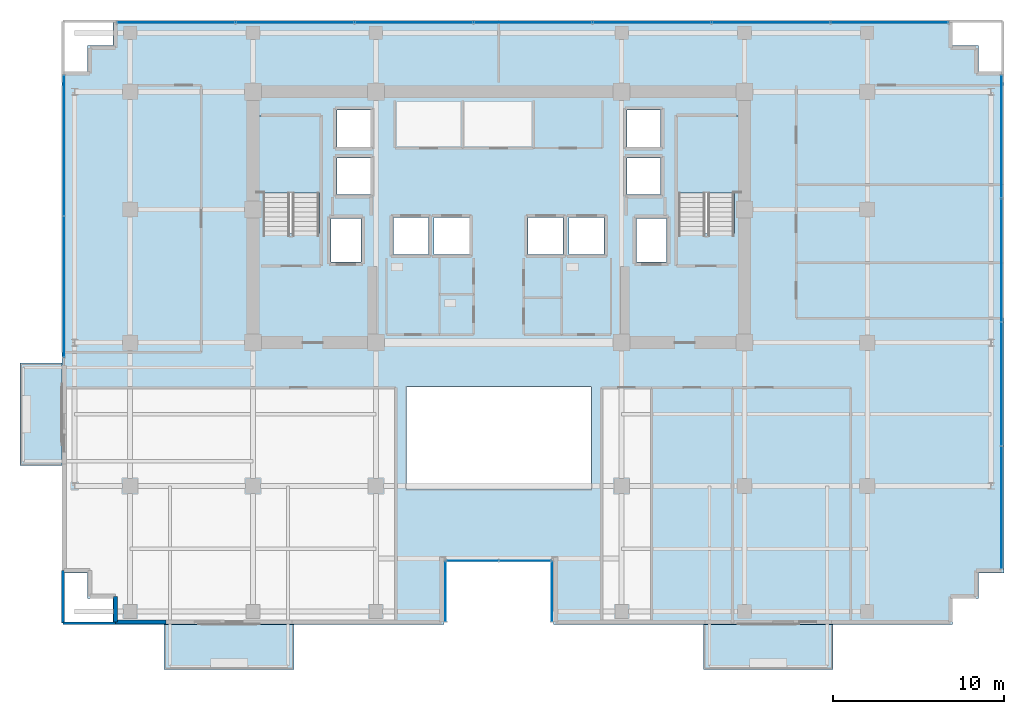
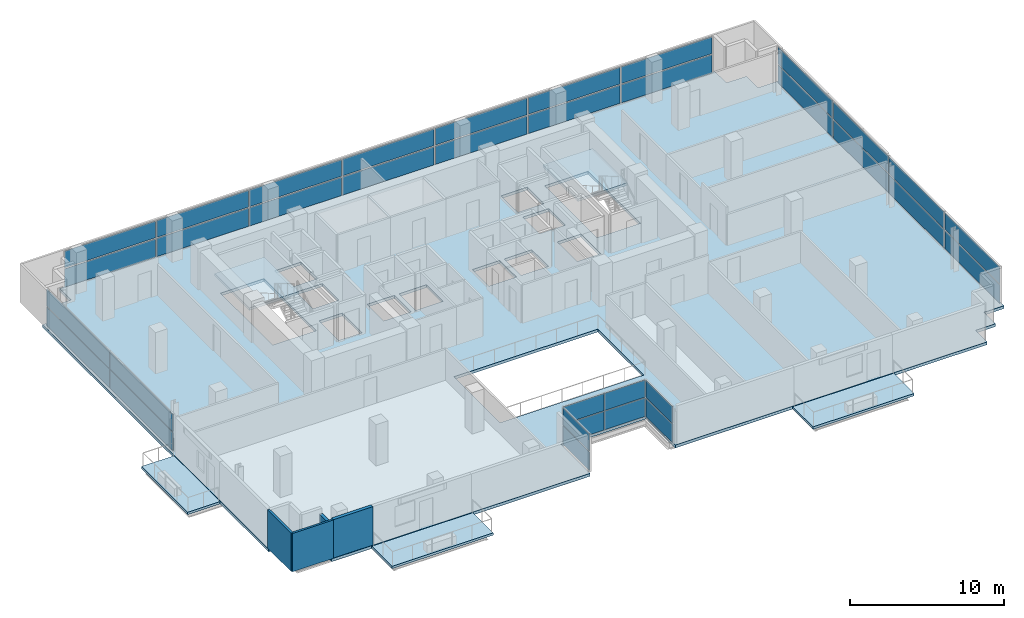
# One storey, part 14 of 22: 34 plates, 6 slabs, 4 walls, 8 elements without a shape of their own.
"""IFC4 building model written with IfcOpenShell, lengths in metres."""

from ifc_helpers import new_model, si_unit, direction, frame, frame_2d, origin, origin_2d, place, context, subcontext, project, spatial, polyline, rectangle, outline, extrude, source, transform, mapped, material, layer, layer_set, type_object, element, aggregate, save


model = new_model("IFC4")

# Units and contexts
model_context = context("Model", 3, precision=1e-05, world=origin(), true_north=direction((0.0, 1.0)))
body_context = subcontext(model_context, "Body", "Model", "MODEL_VIEW")
ifc_project = project(units=[si_unit("LENGTHUNIT", "METRE"), si_unit("AREAUNIT", "SQUARE_METRE"), si_unit("VOLUMEUNIT", "CUBIC_METRE"), si_unit("PLANEANGLEUNIT", "RADIAN"), si_unit("MASSUNIT", "GRAM", prefix="KILO")], contexts=[model_context])

# Site, building, storey
site_placement = place(None, origin())
site = spatial("IfcSite", under=ifc_project, at=site_placement, CompositionType="ELEMENT")
building_placement = place(site_placement, origin())
building = spatial("IfcBuilding", under=site, at=building_placement, Name="Zarnakvel Exchange Tower", CompositionType="ELEMENT")
storey_placement = place(building_placement, frame((0.0, 0.0, 136.300048828125)))
storey = spatial("IfcBuildingStorey", under=building, at=storey_placement, Name="L38", CompositionType="ELEMENT", Elevation=136.300048828125)

# Stair, slab
ifc_material_1 = material(Name="Concrete C40/50", Category="concrete")
stair_type = type_object("IfcStairType", Name="STR-01", PredefinedType="HALF_TURN_STAIR", material=ifc_material_1)
stair_1_placement = place(storey_placement, origin())
stair_1 = element("IfcStair", 1, at=stair_1_placement, inside=storey, type_object=stair_type, Name="L38 Protected Core Exit Stair ST-01", PredefinedType="HALF_TURN_STAIR")
ifc_layer_1 = layer(ifc_material_1, 0.199951171875)
ifc_layer_set_1 = layer_set([ifc_layer_1], Name="Concrete C40/50")
slab_type_1 = type_object("IfcSlabType", Name="LDG-01", PredefinedType="LANDING", material=ifc_layer_set_1)
slab_1_placement = place(storey_placement, frame((0.0, 0.0, 1.449951171875)))
slab_1 = element("IfcSlab", 2, at=slab_1_placement, type_object=slab_type_1, Name="ST-01 landing 1", PredefinedType="LANDING", context=body_context, shape_type="SweptSolid", body=[
    extrude(outline(polyline([(-14.18994140625, 7.570068359375), (-10.4599609375, 7.570068359375), (-10.4599609375, 12.080078125), (-14.18994140625, 12.080078125), (-14.18994140625, 7.570068359375)])), origin(), (0.0, 0.0, 1.0), 0.199951171875),
])
aggregate(stair_1, [slab_1])

stair_2_placement = place(storey_placement, origin())
stair_2 = element("IfcStair", 3, at=stair_2_placement, inside=storey, type_object=stair_type, Name="L38 Protected Core Exit Stair ST-02", PredefinedType="HALF_TURN_STAIR")
slab_2_placement = place(storey_placement, frame((0.0, 0.0, 1.449951171875)))
slab_2 = element("IfcSlab", 4, at=slab_2_placement, type_object=slab_type_1, Name="ST-02 landing 1", PredefinedType="LANDING", context=body_context, shape_type="SweptSolid", body=[
    extrude(outline(polyline([(10.4599609375, 7.570068359375), (14.18994140625, 7.570068359375), (14.18994140625, 12.080078125), (10.4599609375, 12.080078125), (10.4599609375, 7.570068359375)])), origin(), (0.0, 0.0, 1.0), 0.199951171875),
])
aggregate(stair_2, [slab_2])

# Slabs
ifc_layer_2 = layer(ifc_material_1, 0.22509765625)
ifc_layer_set_2 = layer_set([ifc_layer_2], Name="Concrete C40/50")
slab_type_2 = type_object("IfcSlabType", Name="SL-04", PredefinedType="FLOOR", material=ifc_layer_set_2)
slab_3_placement = place(storey_placement, frame((0.0, 0.0, -0.22509765625)))
element("IfcSlab", 5, at=slab_3_placement, inside=storey, type_object=slab_type_2, Name="L38 Primary Structural Floor Slab", PredefinedType="FLOOR", context=body_context, shape_type="SweptSolid", body=[
    extrude(outline(polyline([(-25.60009765625, -14.699951171875), (-24.10009765625, -14.699951171875), (-24.10009765625, -16.199951171875), (-22.60009765625, -16.199951171875), (-22.60009765625, -17.699951171875), (-3.199951171875, -17.699951171875), (-3.199951171875, -13.89990234375), (3.199951171875, -13.89990234375), (3.199951171875, -17.699951171875), (26.60009765625, -17.699951171875), (26.60009765625, -16.199951171875), (28.10009765625, -16.199951171875), (28.10009765625, -14.699951171875), (29.60009765625, -14.699951171875), (29.60009765625, 14.699951171875), (28.10009765625, 14.699951171875), (28.10009765625, 16.199951171875), (26.60009765625, 16.199951171875), (26.60009765625, 17.699951171875), (-22.60009765625, 17.699951171875), (-22.60009765625, 16.199951171875), (-24.10009765625, 16.199951171875), (-24.10009765625, 14.699951171875), (-25.60009765625, 14.699951171875), (-25.60009765625, -14.699951171875)]), holes=[polyline([(-5.39990234375, -9.800048828125), (5.39990234375, -9.800048828125), (5.39990234375, -3.800048828125), (-5.39990234375, -3.800048828125), (-5.39990234375, -9.800048828125)]), polyline([(-13.800048828125, 5.2099609375), (-10.5400390625, 5.2099609375), (-10.5400390625, 12.0), (-13.800048828125, 12.0), (-13.800048828125, 5.2099609375)]), polyline([(10.5400390625, 5.2099609375), (13.800048828125, 5.2099609375), (13.800048828125, 12.0), (10.5400390625, 12.0), (10.5400390625, 5.2099609375)]), polyline([(-9.830078125, 3.52001953125), (-8.070068359375, 3.52001953125), (-8.070068359375, 6.080078125), (-9.830078125, 6.080078125), (-9.830078125, 3.52001953125)]), polyline([(8.070068359375, 3.52001953125), (9.830078125, 3.52001953125), (9.830078125, 6.080078125), (8.070068359375, 6.080078125), (8.070068359375, 3.52001953125)]), polyline([(-6.179931640625, 3.969970703125), (-4.1201171875, 3.969970703125), (-4.1201171875, 6.1298828125), (-6.179931640625, 6.1298828125), (-6.179931640625, 3.969970703125)]), polyline([(-3.780029296875, 3.969970703125), (-1.719970703125, 3.969970703125), (-1.719970703125, 6.1298828125), (-3.780029296875, 6.1298828125), (-3.780029296875, 3.969970703125)]), polyline([(1.719970703125, 3.969970703125), (3.780029296875, 3.969970703125), (3.780029296875, 6.1298828125), (1.719970703125, 6.1298828125), (1.719970703125, 3.969970703125)]), polyline([(4.1201171875, 3.969970703125), (6.179931640625, 3.969970703125), (6.179931640625, 6.1298828125), (4.1201171875, 6.1298828125), (4.1201171875, 3.969970703125)]), polyline([(-9.47998046875, 7.469970703125), (-7.52001953125, 7.469970703125), (-7.52001953125, 9.6298828125), (-9.47998046875, 9.6298828125), (-9.47998046875, 7.469970703125)]), polyline([(-9.47998046875, 10.27001953125), (-7.52001953125, 10.27001953125), (-7.52001953125, 12.429931640625), (-9.47998046875, 12.429931640625), (-9.47998046875, 10.27001953125)]), polyline([(7.52001953125, 7.469970703125), (9.47998046875, 7.469970703125), (9.47998046875, 9.6298828125), (7.52001953125, 9.6298828125), (7.52001953125, 7.469970703125)]), polyline([(7.52001953125, 10.27001953125), (9.47998046875, 10.27001953125), (9.47998046875, 12.429931640625), (7.52001953125, 12.429931640625), (7.52001953125, 10.27001953125)])]), origin(), (0.0, 0.0, 1.0), 0.22509765625),
])
ifc_layer_3 = layer(ifc_material_1, 0.18994140625)
ifc_layer_set_3 = layer_set([ifc_layer_3], Name="Concrete C40/50")
slab_type_3 = type_object("IfcSlabType", Name="SL-08", PredefinedType="USERDEFINED", material=ifc_layer_set_3)
slab_4_placement = place(storey_placement, frame((0.0, 0.0, -0.22509765625)))
element("IfcSlab", 6, at=slab_4_placement, inside=storey, type_object=slab_type_3, Name="L38 Planted Loggia Balcony Slab BAL-L38-SW", ObjectType="BALCONY", PredefinedType="USERDEFINED", context=body_context, shape_type="SweptSolid", body=[
    extrude(outline(polyline([(-19.60009765625, -20.35009765625), (-12.0, -20.35009765625), (-12.0, -17.699951171875), (-19.60009765625, -17.699951171875), (-19.60009765625, -20.35009765625)])), origin(), (0.0, 0.0, 1.0), 0.18994140625),
])
slab_5_placement = place(storey_placement, frame((0.0, 0.0, -0.22509765625)))
element("IfcSlab", 7, at=slab_5_placement, inside=storey, type_object=slab_type_3, Name="L38 Planted Loggia Balcony Slab BAL-L38-SE", ObjectType="BALCONY", PredefinedType="USERDEFINED", context=body_context, shape_type="SweptSolid", body=[
    extrude(outline(polyline([(12.0, -20.35009765625), (19.60009765625, -20.35009765625), (19.60009765625, -17.699951171875), (12.0, -17.699951171875), (12.0, -20.35009765625)])), origin(), (0.0, 0.0, 1.0), 0.18994140625),
])
slab_6_placement = place(storey_placement, frame((0.0, 0.0, -0.22509765625)))
element("IfcSlab", 8, at=slab_6_placement, inside=storey, type_object=slab_type_3, Name="L38 Planted Loggia Balcony Slab BAL-L38-W", ObjectType="BALCONY", PredefinedType="USERDEFINED", context=body_context, shape_type="SweptSolid", body=[
    extrude(outline(polyline([(-28.050048828125, -8.39990234375), (-25.60009765625, -8.39990234375), (-25.60009765625, -2.39990234375), (-28.050048828125, -2.39990234375), (-28.050048828125, -8.39990234375)])), origin(), (0.0, 0.0, 1.0), 0.18994140625),
])

# Curtain wall, plate
ifc_material_2 = material(Name="Architectural Bronze Anodised Aluminium", Category="aluminium")
ifc_layer_4 = layer(ifc_material_2, 0.179931640625)
ifc_layer_set_4 = layer_set([ifc_layer_4], Name="Architectural Bronze Anodised Aluminium")
curtain_wall_type_1 = type_object("IfcCurtainWallType", Name="CW-05", PredefinedType="NOTDEFINED", material=ifc_layer_set_4)
curtain_wall_1_placement = place(storey_placement, origin())
curtain_wall_1 = element("IfcCurtainWall", 9, at=curtain_wall_1_placement, inside=storey, type_object=curtain_wall_type_1, Name="L38 Curtain Wall CW-L38-SLW (CW-05)", PredefinedType="NOTDEFINED")
ifc_material_3 = material(Name="Double Low-E Laminated Vision Glass", Category="glass")
ifc_layer_5 = layer(ifc_material_3, 0.02587890625)
ifc_layer_set_5 = layer_set([ifc_layer_5], Name="Double Low-E Laminated Vision Glass")
plate_type_1 = type_object("IfcPlateType", Name="CWP-05", PredefinedType="CURTAIN_PANEL", material=ifc_layer_set_5)
shared_shape_1 = source(origin(), body_context, "Body", "SweptSolid", [
    extrude(rectangle(XDim=3.4599609375, YDim=0.02587890625, at=origin_2d()), origin(), (0.0, 0.0, 1.0), 1.470703125),
])
plate_1_placement = place(storey_placement, frame((-3.1201171875, -15.780029296875, 0.06982421875), z_axis=(0.0, 0.0, 1.0), x_axis=(0.0, 1.0, 0.0)))
plate_1 = element("IfcPlate", 10, at=plate_1_placement, type_object=plate_type_1, Name="CW-05 panel 1.1", PredefinedType="CURTAIN_PANEL", context=body_context, shape_type="MappedRepresentation", body=[
    mapped(shared_shape_1, transform((0.0, 0.0, 0.0), x_axis=(1.0, 0.0, 0.0), y_axis=(0.0, 1.0, 0.0), z_axis=(0.0, 0.0, 1.0), scale=1.0)),
])

curtain_wall_2_placement = place(storey_placement, origin())
curtain_wall_2 = element("IfcCurtainWall", 11, at=curtain_wall_2_placement, inside=storey, type_object=curtain_wall_type_1, Name="L38 Curtain Wall CW-L38-SLE (CW-05)", PredefinedType="NOTDEFINED")
plate_2_placement = place(storey_placement, frame((3.1201171875, -15.780029296875, 0.06982421875), z_axis=(0.0, 0.0, 1.0), x_axis=(0.0, -1.0, 0.0)))
plate_2 = element("IfcPlate", 12, at=plate_2_placement, type_object=plate_type_1, Name="CW-05 panel 1.1", PredefinedType="CURTAIN_PANEL", context=body_context, shape_type="MappedRepresentation", body=[
    mapped(shared_shape_1, transform((0.0, 0.0, 0.0), x_axis=(1.0, 0.0, 0.0), y_axis=(0.0, 1.0, 0.0), z_axis=(0.0, 0.0, 1.0), scale=1.0)),
])

# Plate
shared_shape_2 = source(origin(), body_context, "Body", "SweptSolid", [
    extrude(rectangle(XDim=3.4599609375, YDim=0.02587890625, at=origin_2d()), origin(), (0.0, 0.0, 1.0), 1.349365234375),
])
plate_3_placement = place(storey_placement, frame((-3.1201171875, -15.780029296875, 1.6103515625), z_axis=(0.0, 0.0, 1.0), x_axis=(0.0, 1.0, 0.0)))
plate_3 = element("IfcPlate", 13, at=plate_3_placement, type_object=plate_type_1, Name="CW-05 panel 1.2", PredefinedType="CURTAIN_PANEL", context=body_context, shape_type="MappedRepresentation", body=[
    mapped(shared_shape_2, transform((0.0, 0.0, 0.0), x_axis=(1.0, 0.0, 0.0), y_axis=(0.0, 1.0, 0.0), z_axis=(0.0, 0.0, 1.0), scale=1.0)),
])

aggregate(curtain_wall_1, [plate_1, plate_3])

plate_4_placement = place(storey_placement, frame((3.1201171875, -15.780029296875, 1.6103515625), z_axis=(0.0, 0.0, 1.0), x_axis=(0.0, -1.0, 0.0)))
plate_4 = element("IfcPlate", 14, at=plate_4_placement, type_object=plate_type_1, Name="CW-05 panel 1.2", PredefinedType="CURTAIN_PANEL", context=body_context, shape_type="MappedRepresentation", body=[
    mapped(shared_shape_2, transform((0.0, 0.0, 0.0), x_axis=(1.0, 0.0, 0.0), y_axis=(0.0, 1.0, 0.0), z_axis=(0.0, 0.0, 1.0), scale=1.0)),
])

aggregate(curtain_wall_2, [plate_2, plate_4])

# Curtain wall, plates
curtain_wall_3_placement = place(storey_placement, origin())
curtain_wall_3 = element("IfcCurtainWall", 15, at=curtain_wall_3_placement, inside=storey, type_object=curtain_wall_type_1, Name="L38 Curtain Wall CW-L38-SLB (CW-05)", PredefinedType="NOTDEFINED")
shared_shape_3 = source(origin(), body_context, "Body", "SweptSolid", [
    extrude(rectangle(XDim=3.014892578125, YDim=0.02587890625, at=origin_2d()), origin(), (0.0, 0.0, 1.0), 1.470703125),
])
plate_5_placement = place(storey_placement, frame((-1.54248046875, -13.97998046875, 0.06982421875), z_axis=(0.0, 0.0, 1.0), x_axis=(1.0, 0.0, 0.0)))
plate_5 = element("IfcPlate", 16, at=plate_5_placement, type_object=plate_type_1, Name="CW-05 panel 1.1", PredefinedType="CURTAIN_PANEL", context=body_context, shape_type="MappedRepresentation", body=[
    mapped(shared_shape_3, transform((0.0, 0.0, 0.0), x_axis=(1.0, 0.0, 0.0), y_axis=(0.0, 1.0, 0.0), z_axis=(0.0, 0.0, 1.0), scale=1.0)),
])
plate_6_placement = place(storey_placement, frame((1.54248046875, -13.97998046875, 0.06982421875), z_axis=(0.0, 0.0, 1.0), x_axis=(1.0, 0.0, 0.0)))
plate_6 = element("IfcPlate", 17, at=plate_6_placement, type_object=plate_type_1, Name="CW-05 panel 2.1", PredefinedType="CURTAIN_PANEL", context=body_context, shape_type="MappedRepresentation", body=[
    mapped(shared_shape_3, transform((0.0, 0.0, 0.0), x_axis=(1.0, 0.0, 0.0), y_axis=(0.0, 1.0, 0.0), z_axis=(0.0, 0.0, 1.0), scale=1.0)),
])
shared_shape_4 = source(origin(), body_context, "Body", "SweptSolid", [
    extrude(rectangle(XDim=3.014892578125, YDim=0.02587890625, at=origin_2d()), origin(), (0.0, 0.0, 1.0), 1.349365234375),
])
plate_7_placement = place(storey_placement, frame((-1.54248046875, -13.97998046875, 1.6103515625), z_axis=(0.0, 0.0, 1.0), x_axis=(1.0, 0.0, 0.0)))
plate_7 = element("IfcPlate", 18, at=plate_7_placement, type_object=plate_type_1, Name="CW-05 panel 1.2", PredefinedType="CURTAIN_PANEL", context=body_context, shape_type="MappedRepresentation", body=[
    mapped(shared_shape_4, transform((0.0, 0.0, 0.0), x_axis=(1.0, 0.0, 0.0), y_axis=(0.0, 1.0, 0.0), z_axis=(0.0, 0.0, 1.0), scale=1.0)),
])
plate_8_placement = place(storey_placement, frame((1.54248046875, -13.97998046875, 1.6103515625), z_axis=(0.0, 0.0, 1.0), x_axis=(1.0, 0.0, 0.0)))
plate_8 = element("IfcPlate", 19, at=plate_8_placement, type_object=plate_type_1, Name="CW-05 panel 2.2", PredefinedType="CURTAIN_PANEL", context=body_context, shape_type="MappedRepresentation", body=[
    mapped(shared_shape_4, transform((0.0, 0.0, 0.0), x_axis=(1.0, 0.0, 0.0), y_axis=(0.0, 1.0, 0.0), z_axis=(0.0, 0.0, 1.0), scale=1.0)),
])
aggregate(curtain_wall_3, [plate_5, plate_7, plate_6, plate_8])

ifc_layer_6 = layer(ifc_material_2, 0.239990234375)
ifc_layer_set_6 = layer_set([ifc_layer_6], Name="Architectural Bronze Anodised Aluminium")
curtain_wall_type_2 = type_object("IfcCurtainWallType", Name="CW-02", PredefinedType="NOTDEFINED", material=ifc_layer_set_6)
curtain_wall_4_placement = place(storey_placement, origin())
curtain_wall_4 = element("IfcCurtainWall", 20, at=curtain_wall_4_placement, inside=storey, type_object=curtain_wall_type_2, Name="L38 Curtain Wall CW-L38-N1 (CW-02)", PredefinedType="NOTDEFINED")
ifc_layer_7 = layer(ifc_material_3, 0.031982421875)
ifc_layer_set_7 = layer_set([ifc_layer_7], Name="Double Low-E Laminated Vision Glass")
plate_type_2 = type_object("IfcPlateType", Name="CWP-02", PredefinedType="CURTAIN_PANEL", material=ifc_layer_set_7)
shared_shape_5 = source(origin(), body_context, "Body", "SweptSolid", [
    extrude(rectangle(XDim=6.83642578125, YDim=0.031982421875, at=origin_2d()), origin(), (0.0, 0.0, 1.0), 1.447998046875),
])
plate_9_placement = place(storey_placement, frame((-18.891845703125, 17.56005859375, 0.0849609375), z_axis=(0.0, 0.0, 1.0), x_axis=(1.0, 0.0, 0.0)))
plate_9 = element("IfcPlate", 21, at=plate_9_placement, type_object=plate_type_2, Name="CW-02 panel 1.1", PredefinedType="CURTAIN_PANEL", context=body_context, shape_type="MappedRepresentation", body=[
    mapped(shared_shape_5, transform((0.0, 0.0, 0.0), x_axis=(1.0, 0.0, 0.0), y_axis=(0.0, 1.0, 0.0), z_axis=(0.0, 0.0, 1.0), scale=1.0)),
])
plate_10_placement = place(storey_placement, frame((22.891845703125, 17.56005859375, 0.0849609375), z_axis=(0.0, 0.0, 1.0), x_axis=(1.0, 0.0, 0.0)))
plate_10 = element("IfcPlate", 22, at=plate_10_placement, type_object=plate_type_2, Name="CW-02 panel 7.1", PredefinedType="CURTAIN_PANEL", context=body_context, shape_type="MappedRepresentation", body=[
    mapped(shared_shape_5, transform((0.0, 0.0, 0.0), x_axis=(1.0, 0.0, 0.0), y_axis=(0.0, 1.0, 0.0), z_axis=(0.0, 0.0, 1.0), scale=1.0)),
])
shared_shape_6 = source(origin(), body_context, "Body", "SweptSolid", [
    extrude(rectangle(XDim=6.83642578125, YDim=0.031982421875, at=origin_2d()), origin(), (0.0, 0.0, 1.0), 1.326904296875),
])
plate_11_placement = place(storey_placement, frame((-18.891845703125, 17.56005859375, 1.6181640625), z_axis=(0.0, 0.0, 1.0), x_axis=(1.0, 0.0, 0.0)))
plate_11 = element("IfcPlate", 23, at=plate_11_placement, type_object=plate_type_2, Name="CW-02 panel 1.2", PredefinedType="CURTAIN_PANEL", context=body_context, shape_type="MappedRepresentation", body=[
    mapped(shared_shape_6, transform((0.0, 0.0, 0.0), x_axis=(1.0, 0.0, 0.0), y_axis=(0.0, 1.0, 0.0), z_axis=(0.0, 0.0, 1.0), scale=1.0)),
])
plate_12_placement = place(storey_placement, frame((22.891845703125, 17.56005859375, 1.6181640625), z_axis=(0.0, 0.0, 1.0), x_axis=(1.0, 0.0, 0.0)))
plate_12 = element("IfcPlate", 24, at=plate_12_placement, type_object=plate_type_2, Name="CW-02 panel 7.2", PredefinedType="CURTAIN_PANEL", context=body_context, shape_type="MappedRepresentation", body=[
    mapped(shared_shape_6, transform((0.0, 0.0, 0.0), x_axis=(1.0, 0.0, 0.0), y_axis=(0.0, 1.0, 0.0), z_axis=(0.0, 0.0, 1.0), scale=1.0)),
])
shared_shape_7 = source(origin(), body_context, "Body", "SweptSolid", [
    extrude(rectangle(XDim=6.88134765625, YDim=0.031982421875, at=origin_2d()), origin(), (0.0, 0.0, 1.0), 1.447998046875),
])
plate_13_placement = place(storey_placement, frame((-11.94287109375, 17.56005859375, 0.0849609375), z_axis=(0.0, 0.0, 1.0), x_axis=(1.0, 0.0, 0.0)))
plate_13 = element("IfcPlate", 25, at=plate_13_placement, type_object=plate_type_2, Name="CW-02 panel 2.1", PredefinedType="CURTAIN_PANEL", context=body_context, shape_type="MappedRepresentation", body=[
    mapped(shared_shape_7, transform((0.0, 0.0, 0.0), x_axis=(1.0, 0.0, 0.0), y_axis=(0.0, 1.0, 0.0), z_axis=(0.0, 0.0, 1.0), scale=1.0)),
])
plate_14_placement = place(storey_placement, frame((-4.971435546875, 17.56005859375, 0.0849609375), z_axis=(0.0, 0.0, 1.0), x_axis=(1.0, 0.0, 0.0)))
plate_14 = element("IfcPlate", 26, at=plate_14_placement, type_object=plate_type_2, Name="CW-02 panel 3.1", PredefinedType="CURTAIN_PANEL", context=body_context, shape_type="MappedRepresentation", body=[
    mapped(shared_shape_7, transform((0.0, 0.0, 0.0), x_axis=(1.0, 0.0, 0.0), y_axis=(0.0, 1.0, 0.0), z_axis=(0.0, 0.0, 1.0), scale=1.0)),
])
plate_15_placement = place(storey_placement, frame((2.0, 17.56005859375, 0.0849609375), z_axis=(0.0, 0.0, 1.0), x_axis=(1.0, 0.0, 0.0)))
plate_15 = element("IfcPlate", 27, at=plate_15_placement, type_object=plate_type_2, Name="CW-02 panel 4.1", PredefinedType="CURTAIN_PANEL", context=body_context, shape_type="MappedRepresentation", body=[
    mapped(shared_shape_7, transform((0.0, 0.0, 0.0), x_axis=(1.0, 0.0, 0.0), y_axis=(0.0, 1.0, 0.0), z_axis=(0.0, 0.0, 1.0), scale=1.0)),
])
plate_16_placement = place(storey_placement, frame((8.971435546875, 17.56005859375, 0.0849609375), z_axis=(0.0, 0.0, 1.0), x_axis=(1.0, 0.0, 0.0)))
plate_16 = element("IfcPlate", 28, at=plate_16_placement, type_object=plate_type_2, Name="CW-02 panel 5.1", PredefinedType="CURTAIN_PANEL", context=body_context, shape_type="MappedRepresentation", body=[
    mapped(shared_shape_7, transform((0.0, 0.0, 0.0), x_axis=(1.0, 0.0, 0.0), y_axis=(0.0, 1.0, 0.0), z_axis=(0.0, 0.0, 1.0), scale=1.0)),
])
plate_17_placement = place(storey_placement, frame((15.94287109375, 17.56005859375, 0.0849609375), z_axis=(0.0, 0.0, 1.0), x_axis=(1.0, 0.0, 0.0)))
plate_17 = element("IfcPlate", 29, at=plate_17_placement, type_object=plate_type_2, Name="CW-02 panel 6.1", PredefinedType="CURTAIN_PANEL", context=body_context, shape_type="MappedRepresentation", body=[
    mapped(shared_shape_7, transform((0.0, 0.0, 0.0), x_axis=(1.0, 0.0, 0.0), y_axis=(0.0, 1.0, 0.0), z_axis=(0.0, 0.0, 1.0), scale=1.0)),
])
shared_shape_8 = source(origin(), body_context, "Body", "SweptSolid", [
    extrude(rectangle(XDim=6.88134765625, YDim=0.031982421875, at=origin_2d()), origin(), (0.0, 0.0, 1.0), 1.326904296875),
])
plate_18_placement = place(storey_placement, frame((-11.94287109375, 17.56005859375, 1.6181640625), z_axis=(0.0, 0.0, 1.0), x_axis=(1.0, 0.0, 0.0)))
plate_18 = element("IfcPlate", 30, at=plate_18_placement, type_object=plate_type_2, Name="CW-02 panel 2.2", PredefinedType="CURTAIN_PANEL", context=body_context, shape_type="MappedRepresentation", body=[
    mapped(shared_shape_8, transform((0.0, 0.0, 0.0), x_axis=(1.0, 0.0, 0.0), y_axis=(0.0, 1.0, 0.0), z_axis=(0.0, 0.0, 1.0), scale=1.0)),
])
plate_19_placement = place(storey_placement, frame((-4.971435546875, 17.56005859375, 1.6181640625), z_axis=(0.0, 0.0, 1.0), x_axis=(1.0, 0.0, 0.0)))
plate_19 = element("IfcPlate", 31, at=plate_19_placement, type_object=plate_type_2, Name="CW-02 panel 3.2", PredefinedType="CURTAIN_PANEL", context=body_context, shape_type="MappedRepresentation", body=[
    mapped(shared_shape_8, transform((0.0, 0.0, 0.0), x_axis=(1.0, 0.0, 0.0), y_axis=(0.0, 1.0, 0.0), z_axis=(0.0, 0.0, 1.0), scale=1.0)),
])
plate_20_placement = place(storey_placement, frame((2.0, 17.56005859375, 1.6181640625), z_axis=(0.0, 0.0, 1.0), x_axis=(1.0, 0.0, 0.0)))
plate_20 = element("IfcPlate", 32, at=plate_20_placement, type_object=plate_type_2, Name="CW-02 panel 4.2", PredefinedType="CURTAIN_PANEL", context=body_context, shape_type="MappedRepresentation", body=[
    mapped(shared_shape_8, transform((0.0, 0.0, 0.0), x_axis=(1.0, 0.0, 0.0), y_axis=(0.0, 1.0, 0.0), z_axis=(0.0, 0.0, 1.0), scale=1.0)),
])
plate_21_placement = place(storey_placement, frame((8.971435546875, 17.56005859375, 1.6181640625), z_axis=(0.0, 0.0, 1.0), x_axis=(1.0, 0.0, 0.0)))
plate_21 = element("IfcPlate", 33, at=plate_21_placement, type_object=plate_type_2, Name="CW-02 panel 5.2", PredefinedType="CURTAIN_PANEL", context=body_context, shape_type="MappedRepresentation", body=[
    mapped(shared_shape_8, transform((0.0, 0.0, 0.0), x_axis=(1.0, 0.0, 0.0), y_axis=(0.0, 1.0, 0.0), z_axis=(0.0, 0.0, 1.0), scale=1.0)),
])
plate_22_placement = place(storey_placement, frame((15.94287109375, 17.56005859375, 1.6181640625), z_axis=(0.0, 0.0, 1.0), x_axis=(1.0, 0.0, 0.0)))
plate_22 = element("IfcPlate", 34, at=plate_22_placement, type_object=plate_type_2, Name="CW-02 panel 6.2", PredefinedType="CURTAIN_PANEL", context=body_context, shape_type="MappedRepresentation", body=[
    mapped(shared_shape_8, transform((0.0, 0.0, 0.0), x_axis=(1.0, 0.0, 0.0), y_axis=(0.0, 1.0, 0.0), z_axis=(0.0, 0.0, 1.0), scale=1.0)),
])
aggregate(curtain_wall_4, [plate_9, plate_11, plate_13, plate_18, plate_14, plate_19, plate_15, plate_20, plate_16, plate_21, plate_17, plate_22, plate_10, plate_12])

ifc_layer_8 = layer(ifc_material_2, 0.199951171875)
ifc_layer_set_8 = layer_set([ifc_layer_8], Name="Architectural Bronze Anodised Aluminium")
curtain_wall_type_3 = type_object("IfcCurtainWallType", Name="CW-04", PredefinedType="NOTDEFINED", material=ifc_layer_set_8)
curtain_wall_5_placement = place(storey_placement, origin())
curtain_wall_5 = element("IfcCurtainWall", 35, at=curtain_wall_5_placement, inside=storey, type_object=curtain_wall_type_3, Name="L38 Curtain Wall CW-L38-WN (CW-04)", PredefinedType="NOTDEFINED")
ifc_layer_9 = layer(ifc_material_3, 0.028076171875)
ifc_layer_set_9 = layer_set([ifc_layer_9], Name="Double Low-E Laminated Vision Glass")
plate_type_3 = type_object("IfcPlateType", Name="CWP-04", PredefinedType="CURTAIN_PANEL", material=ifc_layer_set_9)
shared_shape_9 = source(origin(), body_context, "Body", "SweptSolid", [
    extrude(rectangle(XDim=8.1875, YDim=0.028076171875, at=origin_2d()), origin(), (0.0, 0.0, 1.0), 1.463134765625),
])
plate_23_placement = place(storey_placement, frame((-25.4599609375, 2.06884765625, 0.07470703125), z_axis=(0.0, 0.0, 1.0), x_axis=(0.0, 1.0, 0.0)))
plate_23 = element("IfcPlate", 36, at=plate_23_placement, type_object=plate_type_3, Name="CW-04 panel 1.1", PredefinedType="CURTAIN_PANEL", context=body_context, shape_type="MappedRepresentation", body=[
    mapped(shared_shape_9, transform((0.0, 0.0, 0.0), x_axis=(1.0, 0.0, 0.0), y_axis=(0.0, 1.0, 0.0), z_axis=(0.0, 0.0, 1.0), scale=1.0)),
])
plate_24_placement = place(storey_placement, frame((-25.4599609375, 10.331298828125, 0.07470703125), z_axis=(0.0, 0.0, 1.0), x_axis=(0.0, 1.0, 0.0)))
plate_24 = element("IfcPlate", 37, at=plate_24_placement, type_object=plate_type_3, Name="CW-04 panel 2.1", PredefinedType="CURTAIN_PANEL", context=body_context, shape_type="MappedRepresentation", body=[
    mapped(shared_shape_9, transform((0.0, 0.0, 0.0), x_axis=(1.0, 0.0, 0.0), y_axis=(0.0, 1.0, 0.0), z_axis=(0.0, 0.0, 1.0), scale=1.0)),
])
shared_shape_10 = source(origin(), body_context, "Body", "SweptSolid", [
    extrude(rectangle(XDim=8.1875, YDim=0.028076171875, at=origin_2d()), origin(), (0.0, 0.0, 1.0), 1.341796875),
])
plate_25_placement = place(storey_placement, frame((-25.4599609375, 2.06884765625, 1.613037109375), z_axis=(0.0, 0.0, 1.0), x_axis=(0.0, 1.0, 0.0)))
plate_25 = element("IfcPlate", 38, at=plate_25_placement, type_object=plate_type_3, Name="CW-04 panel 1.2", PredefinedType="CURTAIN_PANEL", context=body_context, shape_type="MappedRepresentation", body=[
    mapped(shared_shape_10, transform((0.0, 0.0, 0.0), x_axis=(1.0, 0.0, 0.0), y_axis=(0.0, 1.0, 0.0), z_axis=(0.0, 0.0, 1.0), scale=1.0)),
])
plate_26_placement = place(storey_placement, frame((-25.4599609375, 10.331298828125, 1.613037109375), z_axis=(0.0, 0.0, 1.0), x_axis=(0.0, 1.0, 0.0)))
plate_26 = element("IfcPlate", 39, at=plate_26_placement, type_object=plate_type_3, Name="CW-04 panel 2.2", PredefinedType="CURTAIN_PANEL", context=body_context, shape_type="MappedRepresentation", body=[
    mapped(shared_shape_10, transform((0.0, 0.0, 0.0), x_axis=(1.0, 0.0, 0.0), y_axis=(0.0, 1.0, 0.0), z_axis=(0.0, 0.0, 1.0), scale=1.0)),
])
aggregate(curtain_wall_5, [plate_23, plate_25, plate_24, plate_26])

curtain_wall_6_placement = place(storey_placement, origin())
curtain_wall_6 = element("IfcCurtainWall", 40, at=curtain_wall_6_placement, inside=storey, type_object=curtain_wall_type_3, Name="L38 Curtain Wall CW-L38-E1 (CW-04)", PredefinedType="NOTDEFINED")
shared_shape_11 = source(origin(), body_context, "Body", "SweptSolid", [
    extrude(rectangle(XDim=7.137451171875, YDim=0.028076171875, at=origin_2d()), origin(), (0.0, 0.0, 1.0), 1.463134765625),
])
plate_27_placement = place(storey_placement, frame((29.4599609375, -10.856201171875, 0.07470703125), z_axis=(0.0, 0.0, 1.0), x_axis=(0.0, 1.0, 0.0)))
plate_27 = element("IfcPlate", 41, at=plate_27_placement, type_object=plate_type_3, Name="CW-04 panel 1.1", PredefinedType="CURTAIN_PANEL", context=body_context, shape_type="MappedRepresentation", body=[
    mapped(shared_shape_11, transform((0.0, 0.0, 0.0), x_axis=(1.0, 0.0, 0.0), y_axis=(0.0, 1.0, 0.0), z_axis=(0.0, 0.0, 1.0), scale=1.0)),
])
plate_28_placement = place(storey_placement, frame((29.4599609375, 10.856201171875, 0.07470703125), z_axis=(0.0, 0.0, 1.0), x_axis=(0.0, 1.0, 0.0)))
plate_28 = element("IfcPlate", 42, at=plate_28_placement, type_object=plate_type_3, Name="CW-04 panel 4.1", PredefinedType="CURTAIN_PANEL", context=body_context, shape_type="MappedRepresentation", body=[
    mapped(shared_shape_11, transform((0.0, 0.0, 0.0), x_axis=(1.0, 0.0, 0.0), y_axis=(0.0, 1.0, 0.0), z_axis=(0.0, 0.0, 1.0), scale=1.0)),
])
shared_shape_12 = source(origin(), body_context, "Body", "SweptSolid", [
    extrude(rectangle(XDim=7.137451171875, YDim=0.028076171875, at=origin_2d()), origin(), (0.0, 0.0, 1.0), 1.341796875),
])
plate_29_placement = place(storey_placement, frame((29.4599609375, -10.856201171875, 1.613037109375), z_axis=(0.0, 0.0, 1.0), x_axis=(0.0, 1.0, 0.0)))
plate_29 = element("IfcPlate", 43, at=plate_29_placement, type_object=plate_type_3, Name="CW-04 panel 1.2", PredefinedType="CURTAIN_PANEL", context=body_context, shape_type="MappedRepresentation", body=[
    mapped(shared_shape_12, transform((0.0, 0.0, 0.0), x_axis=(1.0, 0.0, 0.0), y_axis=(0.0, 1.0, 0.0), z_axis=(0.0, 0.0, 1.0), scale=1.0)),
])
plate_30_placement = place(storey_placement, frame((29.4599609375, 10.856201171875, 1.613037109375), z_axis=(0.0, 0.0, 1.0), x_axis=(0.0, 1.0, 0.0)))
plate_30 = element("IfcPlate", 44, at=plate_30_placement, type_object=plate_type_3, Name="CW-04 panel 4.2", PredefinedType="CURTAIN_PANEL", context=body_context, shape_type="MappedRepresentation", body=[
    mapped(shared_shape_12, transform((0.0, 0.0, 0.0), x_axis=(1.0, 0.0, 0.0), y_axis=(0.0, 1.0, 0.0), z_axis=(0.0, 0.0, 1.0), scale=1.0)),
])
shared_shape_13 = source(origin(), body_context, "Body", "SweptSolid", [
    extrude(rectangle(XDim=7.175048828125, YDim=0.028076171875, at=origin_2d()), origin(), (0.0, 0.0, 1.0), 1.463134765625),
])
plate_31_placement = place(storey_placement, frame((29.4599609375, -3.625, 0.07470703125), z_axis=(0.0, 0.0, 1.0), x_axis=(0.0, 1.0, 0.0)))
plate_31 = element("IfcPlate", 45, at=plate_31_placement, type_object=plate_type_3, Name="CW-04 panel 2.1", PredefinedType="CURTAIN_PANEL", context=body_context, shape_type="MappedRepresentation", body=[
    mapped(shared_shape_13, transform((0.0, 0.0, 0.0), x_axis=(1.0, 0.0, 0.0), y_axis=(0.0, 1.0, 0.0), z_axis=(0.0, 0.0, 1.0), scale=1.0)),
])
plate_32_placement = place(storey_placement, frame((29.4599609375, 3.625, 0.07470703125), z_axis=(0.0, 0.0, 1.0), x_axis=(0.0, 1.0, 0.0)))
plate_32 = element("IfcPlate", 46, at=plate_32_placement, type_object=plate_type_3, Name="CW-04 panel 3.1", PredefinedType="CURTAIN_PANEL", context=body_context, shape_type="MappedRepresentation", body=[
    mapped(shared_shape_13, transform((0.0, 0.0, 0.0), x_axis=(1.0, 0.0, 0.0), y_axis=(0.0, 1.0, 0.0), z_axis=(0.0, 0.0, 1.0), scale=1.0)),
])
shared_shape_14 = source(origin(), body_context, "Body", "SweptSolid", [
    extrude(rectangle(XDim=7.175048828125, YDim=0.028076171875, at=origin_2d()), origin(), (0.0, 0.0, 1.0), 1.341796875),
])
plate_33_placement = place(storey_placement, frame((29.4599609375, -3.625, 1.613037109375), z_axis=(0.0, 0.0, 1.0), x_axis=(0.0, 1.0, 0.0)))
plate_33 = element("IfcPlate", 47, at=plate_33_placement, type_object=plate_type_3, Name="CW-04 panel 2.2", PredefinedType="CURTAIN_PANEL", context=body_context, shape_type="MappedRepresentation", body=[
    mapped(shared_shape_14, transform((0.0, 0.0, 0.0), x_axis=(1.0, 0.0, 0.0), y_axis=(0.0, 1.0, 0.0), z_axis=(0.0, 0.0, 1.0), scale=1.0)),
])
plate_34_placement = place(storey_placement, frame((29.4599609375, 3.625, 1.613037109375), z_axis=(0.0, 0.0, 1.0), x_axis=(0.0, 1.0, 0.0)))
plate_34 = element("IfcPlate", 48, at=plate_34_placement, type_object=plate_type_3, Name="CW-04 panel 3.2", PredefinedType="CURTAIN_PANEL", context=body_context, shape_type="MappedRepresentation", body=[
    mapped(shared_shape_14, transform((0.0, 0.0, 0.0), x_axis=(1.0, 0.0, 0.0), y_axis=(0.0, 1.0, 0.0), z_axis=(0.0, 0.0, 1.0), scale=1.0)),
])
aggregate(curtain_wall_6, [plate_27, plate_29, plate_31, plate_33, plate_32, plate_34, plate_28, plate_30])

# Walls
ifc_material_4 = material(Name="Precast concrete C40/50", Category="concrete")
ifc_layer_10 = layer(ifc_material_4, 0.239990234375)
ifc_layer_set_10 = layer_set([ifc_layer_10], Name="Precast concrete C40/50")
wall_type_1 = type_object("IfcWallType", Name="EW-02", PredefinedType="SOLIDWALL", material=ifc_layer_set_10)
wall_1_placement = place(storey_placement, frame((-22.4599609375, -17.56005859375, 0.0), z_axis=(0.0, 0.0, 1.0), x_axis=(1.0, 0.0, 0.0)))
element("IfcWall", 49, at=wall_1_placement, inside=storey, type_object=wall_type_1, Name="L38 Exterior Precast Spandrel Wall EWC-L38-22 (EW-02)", PredefinedType="SOLIDWALL", context=body_context, shape_type="SweptSolid", body=[
    extrude(rectangle(XDim=2.9599609375, YDim=0.239990234375, at=frame_2d((1.47998046875, 0.0))), origin(), (0.0, 0.0, 1.0), 3.050048828125),
])
wall_2_placement = place(storey_placement, frame((-22.4599609375, -16.06005859375, 0.0), z_axis=(0.0, 0.0, 1.0), x_axis=(0.0, -1.0, 0.0)))
element("IfcWall", 50, at=wall_2_placement, inside=storey, type_object=wall_type_1, Name="L38 Exterior Precast Spandrel Wall EWC-L38-23 (EW-02)", PredefinedType="SOLIDWALL", context=body_context, shape_type="SweptSolid", body=[
    extrude(rectangle(XDim=1.5, YDim=0.239990234375, at=frame_2d((0.75, 0.0))), origin(), (0.0, 0.0, 1.0), 2.5400390625),
])
ifc_material_5 = material(Name="Fire-Rated Gypsum Stud Partition", Category="gypsum")
ifc_layer_11 = layer(ifc_material_5, 0.14990234375)
ifc_layer_set_11 = layer_set([ifc_layer_11], Name="Fire-Rated Gypsum Stud Partition")
wall_type_2 = type_object("IfcWallType", Name="PT-01", PredefinedType="PARTITIONING", material=ifc_layer_set_11)
wall_3_placement = place(storey_placement, frame((-22.4599609375, -17.6298828125, 0.0), z_axis=(0.0, 0.0, 1.0), x_axis=(-1.0, 0.0, 0.0)))
element("IfcWall", 51, at=wall_3_placement, inside=storey, type_object=wall_type_2, Name="L38 Partition Wall PWALL-L38-033 (PT-01)", PredefinedType="PARTITIONING", context=body_context, shape_type="SweptSolid", body=[
    extrude(rectangle(XDim=3.070068359375, YDim=0.14990234375, at=frame_2d((1.53515625, 0.0))), origin(), (0.0, 0.0, 1.0), 3.050048828125),
])
wall_4_placement = place(storey_placement, frame((-25.530029296875, -17.6298828125, 0.0), z_axis=(0.0, 0.0, 1.0), x_axis=(0.0, 1.0, 0.0)))
element("IfcWall", 52, at=wall_4_placement, inside=storey, type_object=wall_type_2, Name="L38 Partition Wall PWALL-L38-035 (PT-01)", PredefinedType="PARTITIONING", context=body_context, shape_type="SweptSolid", body=[
    extrude(rectangle(XDim=3.06982421875, YDim=0.14990234375, at=frame_2d((1.534912109375, 0.0))), origin(), (0.0, 0.0, 1.0), 3.050048828125),
])

save(model, "model.ifc")
